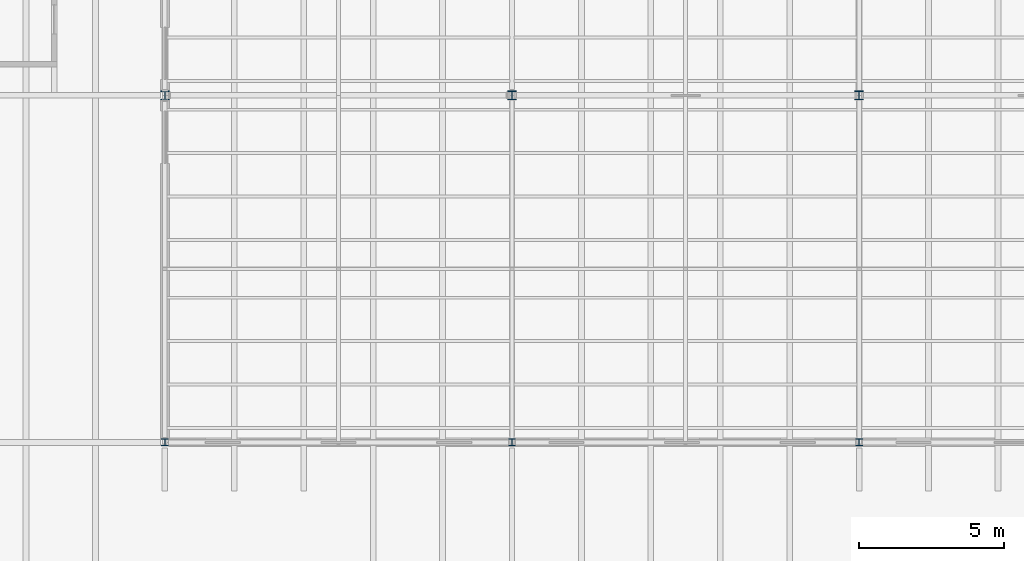
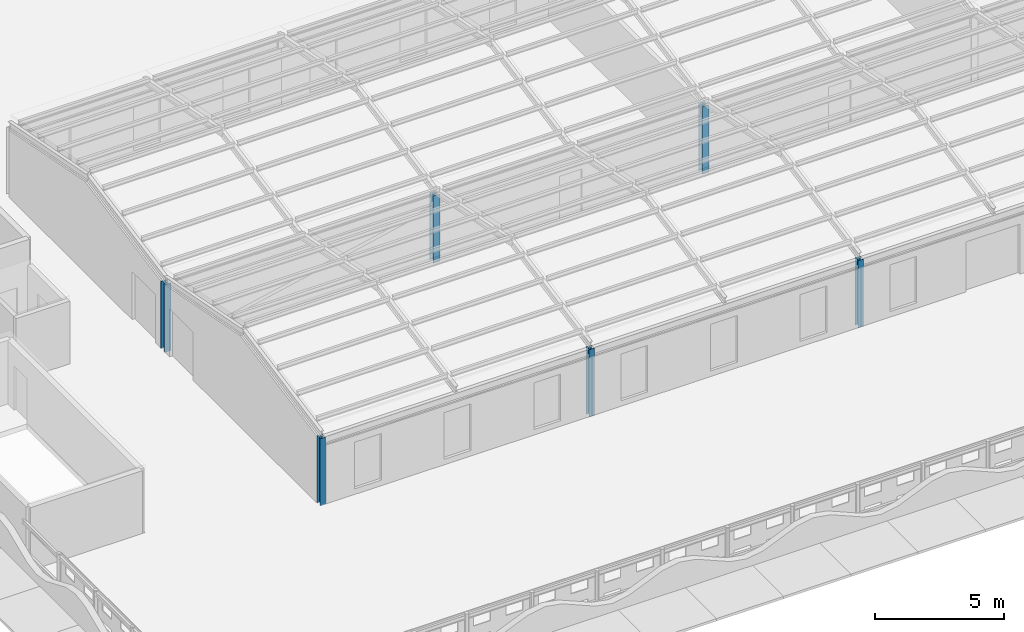
# One storey, part 1 of 91: 6 columns.
"""IFC4 building model written with IfcOpenShell, lengths in metres."""

import ifcopenshell
import ifcopenshell.guid

model = None  # the IFC model being written
_history = None  # IfcOwnerHistory: only IFC2X3 demands one
_inside = {}  # id of a spatial element -> (the spatial element, [elements in it])
_under = {}  # id of a project, library or spatial element -> (it, [spatial elements below it])
_declared = {}  # id of a project -> (the project, [libraries it declares])
_typed = {}  # id of a type object -> (the type object, [elements of that type])
_made_of = {}  # id of a material, layer set ... -> (it, [elements and type objects made of it])


def new_model(schema):
    """Start an empty IFC model of exactly this schema.

    Asked for "IFC4X3", IfcOpenShell would pick the latest addendum, in which some entities
    have other attributes; the version numbers below select the first issue.
    IFC2X3 requires an IfcOwnerHistory on every rooted entity: one is made here for all.
    """
    global model, _history
    if schema == "IFC4X3":
        model = ifcopenshell.file(schema_version=(4, 3, 0, 0))
    else:
        model = ifcopenshell.file(schema=schema)
    _inside.clear()
    _under.clear()
    _declared.clear()
    _typed.clear()
    _made_of.clear()
    _history = None
    if model.schema == "IFC2X3":
        org = make("IfcOrganization", Name="unknown")
        user = make(
            "IfcPersonAndOrganization",
            ThePerson=make("IfcPerson", FamilyName="unknown"),
            TheOrganization=org,
        )
        app = make(
            "IfcApplication",
            ApplicationDeveloper=org,
            Version="unknown",
            ApplicationFullName="unknown",
            ApplicationIdentifier="unknown",
        )
        _history = make(
            "IfcOwnerHistory",
            OwningUser=user,
            OwningApplication=app,
            ChangeAction="ADDED",
            CreationDate=0,
        )
    return model


def make(cls, **values):
    """One entity of the class cls with the attributes given. An attribute that is None is left unset."""
    return model.create_entity(
        cls, **{name: value for name, value in values.items() if value is not None}
    )


def rooted(cls, **values):
    """An entity with a GlobalId (a new one), such as an element, a storey or a relation."""
    return make(cls, GlobalId=ifcopenshell.guid.new(), OwnerHistory=_history, **values)


def si_unit(unit_type, name, prefix=None):
    """IfcSIUnit, for example si_unit("LENGTHUNIT", "METRE", prefix="MILLI")."""
    return make("IfcSIUnit", UnitType=unit_type, Prefix=prefix, Name=name)


def assignment(units):
    """IfcUnitAssignment: the units of a project."""
    return None if units is None else make("IfcUnitAssignment", Units=units)


def point(xyz):
    """IfcCartesianPoint."""
    return None if xyz is None else make("IfcCartesianPoint", Coordinates=xyz)


def direction(xyz):
    """IfcDirection."""
    return None if xyz is None else make("IfcDirection", DirectionRatios=xyz)


def frame(location, z_axis=None, x_axis=None):
    """IfcAxis2Placement3D, a coordinate frame: its origin and axes. An axis left out is left unset."""
    return make(
        "IfcAxis2Placement3D",
        Location=point(location),
        Axis=direction(z_axis),
        RefDirection=direction(x_axis),
    )


def frame_2d(location, x_axis=None):
    """IfcAxis2Placement2D, a coordinate frame in the plane: its origin and x axis."""
    return make(
        "IfcAxis2Placement2D", Location=point(location), RefDirection=direction(x_axis)
    )


def origin():
    """The frame at (0, 0, 0) with its axes left unset."""
    return frame((0.0, 0.0, 0.0))


def origin_2d():
    """The frame at (0, 0) in the plane with its x axis left unset."""
    return frame_2d((0.0, 0.0))


def place(relative_to, where):
    """IfcLocalPlacement: puts the frame where relative to a parent placement (None: the world)."""
    return make(
        "IfcLocalPlacement", PlacementRelTo=relative_to, RelativePlacement=where
    )


def context(
    kind, dimensions, precision=None, world=None, true_north=None, identifier=None
):
    """IfcGeometricRepresentationContext, for example the 3D "Model" context."""
    return make(
        "IfcGeometricRepresentationContext",
        ContextIdentifier=identifier,
        ContextType=kind,
        CoordinateSpaceDimension=dimensions,
        Precision=precision,
        WorldCoordinateSystem=world,
        TrueNorth=true_north,
    )


def subcontext(parent, identifier, kind, view, scale=None):
    """IfcGeometricRepresentationSubContext, for example "Body" below "Model"."""
    return make(
        "IfcGeometricRepresentationSubContext",
        ContextIdentifier=identifier,
        ContextType=kind,
        ParentContext=parent,
        TargetScale=scale,
        TargetView=view,
    )


def project(units=None, contexts=None):
    """IfcProject with its units and contexts."""
    return rooted(
        "IfcProject",
        Name="project",
        RepresentationContexts=contexts,
        UnitsInContext=assignment(units),
    )


def spatial(cls, under=None, at=None, **own):
    """A site, building, storey or space (cls), placed at a placement, below another one or the project."""
    s = rooted(cls, ObjectPlacement=at, **own)
    if under is not None:
        _under.setdefault(under.id(), (under, []))[1].append(s)
    return s


def profile(cls, at=None, kind="AREA", **sizes):
    """A parametric profile (cls). Its sizes go by their IFC names, for example OverallWidth=200.0."""
    return make(cls, ProfileType=kind, Position=at, **sizes)


def i_section(**sizes):
    """IfcIShapeProfileDef."""
    return profile("IfcIShapeProfileDef", **sizes)


def extrude(swept, where, along, depth):
    """IfcExtrudedAreaSolid: the profile swept, set in the frame where, extruded along a direction by depth."""
    return make(
        "IfcExtrudedAreaSolid",
        SweptArea=swept,
        Position=where,
        ExtrudedDirection=direction(along),
        Depth=depth,
    )


def shape(context_of_items, identifier, shape_type, items):
    """IfcShapeRepresentation: the items that make up one representation, for example the "Body"."""
    return make(
        "IfcShapeRepresentation",
        ContextOfItems=context_of_items,
        RepresentationIdentifier=identifier,
        RepresentationType=shape_type,
        Items=items,
    )


def material(Name=None, Category=None):
    """IfcMaterial."""
    return make("IfcMaterial", Name=Name, Category=Category)


def material_profile(
    of_material, cross_section, Name=None, Category=None, Priority=None
):
    """IfcMaterialProfile: a cross section and its material."""
    return make(
        "IfcMaterialProfile",
        Name=Name,
        Material=of_material,
        Profile=cross_section,
        Priority=Priority,
        Category=Category,
    )


def profile_set(profiles, Name=None, composite=None):
    """IfcMaterialProfileSet."""
    return make(
        "IfcMaterialProfileSet",
        Name=Name,
        MaterialProfiles=profiles,
        CompositeProfile=composite,
    )


def made_of(thing, what):
    """Note that an element or type object is made of a material, layer set ...; save() writes the relation."""
    if what is not None:
        _made_of.setdefault(what.id(), (what, []))[1].append(thing)
    return thing


def type_object(cls, material=None, **own):
    """A type object (cls), such as IfcWallType, which elements share."""
    return made_of(rooted(cls, **own), material)


def element(
    cls,
    number,
    at=None,
    inside=None,
    cuts=None,
    type_object=None,
    material=None,
    context=None,
    identifier="Body",
    shape_type=None,
    held_by="IfcProductDefinitionShape",
    body=None,
    shapes=None,
    **own,
):
    """One element of the class cls, such as IfcWall. Its Tag is "e" and its number.

    at: its placement. inside: the storey or other place that contains it. cuts: it is an
    opening in that element (IfcRelVoidsElement). A single representation is given by context,
    identifier, shape_type and body (its items); several are given by shapes. held_by: the class
    of the entity that holds the representations. save() writes the other relations.
    """
    e = rooted(cls, Tag="e%d" % number, ObjectPlacement=at, **own)
    if body is not None:
        shapes = [shape(context, identifier, shape_type, body)]
    if shapes is not None:
        e.Representation = make(held_by, Representations=shapes)
    if inside is not None:
        _inside.setdefault(inside.id(), (inside, []))[1].append(e)
    if cuts is not None:
        rooted(
            "IfcRelVoidsElement", RelatingBuildingElement=cuts, RelatedOpeningElement=e
        )
    if type_object is not None:
        _typed.setdefault(type_object.id(), (type_object, []))[1].append(e)
    return made_of(e, material)


def aggregate(whole, parts):
    """IfcRelAggregates: a whole, such as a stair, and the parts it consists of."""
    return rooted("IfcRelAggregates", RelatingObject=whole, RelatedObjects=parts)


def save(model, path):
    """Write the relations noted so far, then the file.

    IfcRelAggregates (storeys below a building ...), IfcRelContainedInSpatialStructure (elements
    in a storey), IfcRelDefinesByType, IfcRelAssociatesMaterial and IfcRelDeclares: one each for
    every whole, place, type object, material and project.
    """
    for whole, parts in _under.values():
        aggregate(whole, parts)
    for where, things in _inside.values():
        rooted(
            "IfcRelContainedInSpatialStructure",
            RelatedElements=things,
            RelatingStructure=where,
        )
    for kind, things in _typed.values():
        rooted("IfcRelDefinesByType", RelatedObjects=things, RelatingType=kind)
    for what, things in _made_of.values():
        rooted("IfcRelAssociatesMaterial", RelatedObjects=things, RelatingMaterial=what)
    for by, libraries in _declared.values():
        rooted("IfcRelDeclares", RelatingContext=by, RelatedDefinitions=libraries)
    model.write(path)


model = new_model("IFC4")

# Units and contexts
model_context = context("Model", 3, precision=1e-05, world=origin(), true_north=direction((0.0, 1.0)))
body_context = subcontext(model_context, "Body", "Model", "MODEL_VIEW")
ifc_project = project(units=[si_unit("LENGTHUNIT", "METRE"), si_unit("AREAUNIT", "SQUARE_METRE"), si_unit("VOLUMEUNIT", "CUBIC_METRE"), si_unit("PLANEANGLEUNIT", "RADIAN"), si_unit("MASSUNIT", "GRAM", prefix="KILO")], contexts=[model_context])

# Site, building, storey
site_placement = place(None, origin())
site = spatial("IfcSite", under=ifc_project, at=site_placement, CompositionType="ELEMENT")
building_placement = place(site_placement, origin())
building = spatial("IfcBuilding", under=site, at=building_placement, Name="Ravi Spectrum Wholesale Market", CompositionType="ELEMENT")
storey_placement = place(building_placement, frame((0.0, 0.0, 16.199951171875)))
storey = spatial("IfcBuildingStorey", under=building, at=storey_placement, Name="ROOF PLANT LEVEL", CompositionType="ELEMENT", Elevation=16.199951171875)

# Columns
ifc_material_1 = material(Name="Steel S355", Category="steel")
ifc_material_profile_1 = material_profile(ifc_material_1, i_section(OverallWidth=0.239990234375, OverallDepth=0.239990234375, WebThickness=0.010009765625, FlangeThickness=0.01708984375, at=origin_2d()))
ifc_profile_set_1 = profile_set([ifc_material_profile_1], Name="Steel S355")
column_type_1 = type_object("IfcColumnType", Name="HEB 240 column", PredefinedType="COLUMN", material=ifc_profile_set_1)
for number, where, z_axis, x_axis, name in (
    (1, (210.0, 30.0, 0.0), (0.0, 0.0, 1.0), (1.0, 0.0, 0.0), "CS-COL-ROOF-001"),
    (2, (222.0, 30.0, 0.0), (0.0, 0.0, 1.0), (1.0, 0.0, 0.0), "CS-COL-ROOF-004"),
    (3, (234.0, 30.0, 0.0), (0.0, 0.0, 1.0), (1.0, 0.0, 0.0), "CS-COL-ROOF-007"),
):
    element("IfcColumn", number, at=place(storey_placement, frame(where, z_axis=z_axis, x_axis=x_axis)), inside=storey, type_object=column_type_1, Name=name, PredefinedType="COLUMN", context=body_context, shape_type="SweptSolid", body=[
        extrude(i_section(OverallWidth=0.239990234375, OverallDepth=0.239990234375, WebThickness=0.010009765625, FlangeThickness=0.01708984375, at=origin_2d()), origin(), (0.0, 0.0, 1.0), 3.172119140625),
    ])
ifc_material_2 = material(Name="Steel S355", Category="steel")
ifc_material_profile_2 = material_profile(ifc_material_2, i_section(OverallWidth=0.300048828125, OverallDepth=0.300048828125, WebThickness=0.010986328125, FlangeThickness=0.01904296875, at=origin_2d()))
ifc_profile_set_2 = profile_set([ifc_material_profile_2], Name="Steel S355")
column_type_2 = type_object("IfcColumnType", Name="HEB 300 column", PredefinedType="COLUMN", material=ifc_profile_set_2)
for number, where, z_axis, x_axis, name in (
    (4, (210.0, 42.0, 0.0), (0.0, 0.0, 1.0), (1.0, 0.0, 0.0), "CS-COL-ROOF-002"),
    (5, (222.0, 42.0, 0.0), (0.0, 0.0, 1.0), (1.0, 0.0, 0.0), "CS-COL-ROOF-005"),
    (6, (234.0, 42.0, 0.0), (0.0, 0.0, 1.0), (1.0, 0.0, 0.0), "CS-COL-ROOF-008"),
):
    element("IfcColumn", number, at=place(storey_placement, frame(where, z_axis=z_axis, x_axis=x_axis)), inside=storey, type_object=column_type_2, Name=name, PredefinedType="COLUMN", context=body_context, shape_type="SweptSolid", body=[
        extrude(i_section(OverallWidth=0.300048828125, OverallDepth=0.300048828125, WebThickness=0.010986328125, FlangeThickness=0.01904296875, at=origin_2d()), origin(), (0.0, 0.0, 1.0), 3.172119140625),
    ])

save(model, "model.ifc")
